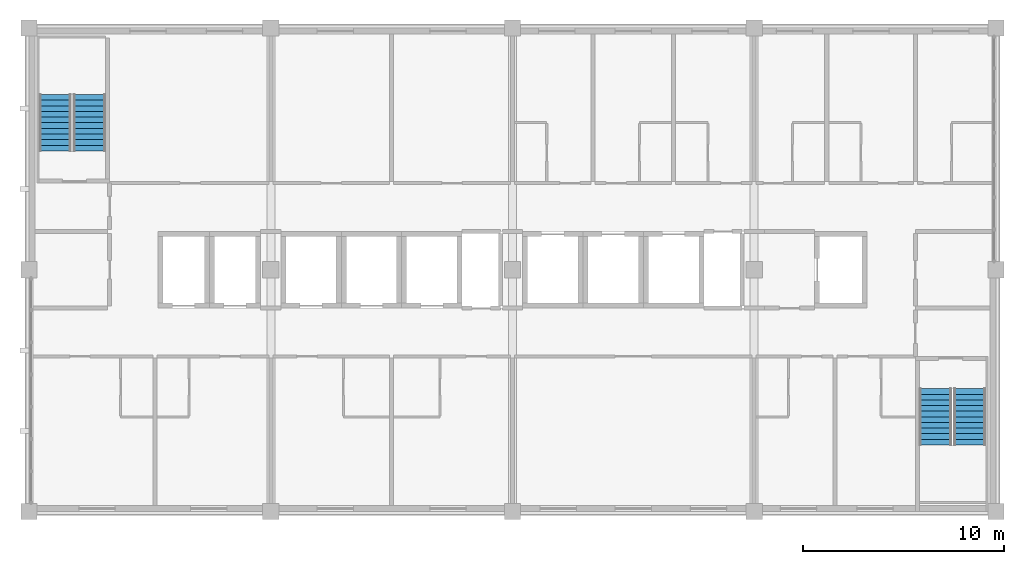
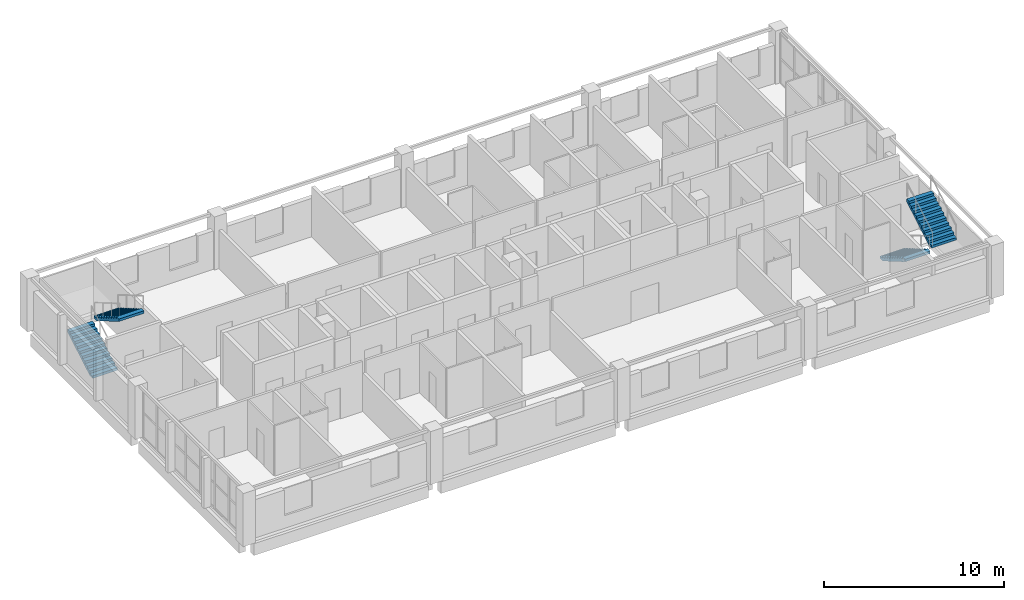
# One storey, part 10 of 11: 4 stair flights, 2 elements without a shape of their own.
"""IFC4 building model written with IfcOpenShell, lengths in metres."""

from ifc_helpers import new_model, si_unit, direction, frame, origin, place, context, subcontext, project, spatial, polyline, outline, extrude, material, type_object, element, aggregate, save


model = new_model("IFC4")

# Units and contexts
model_context = context("Model", 3, precision=1e-05, world=origin(), true_north=direction((0.0, 1.0)))
body_context = subcontext(model_context, "Body", "Model", "MODEL_VIEW")
ifc_project = project(units=[si_unit("LENGTHUNIT", "METRE"), si_unit("AREAUNIT", "SQUARE_METRE"), si_unit("VOLUMEUNIT", "CUBIC_METRE"), si_unit("PLANEANGLEUNIT", "RADIAN"), si_unit("MASSUNIT", "GRAM", prefix="KILO")], contexts=[model_context])

# Site, building, storey
site_placement = place(None, origin())
site = spatial("IfcSite", under=ifc_project, at=site_placement, CompositionType="ELEMENT")
building_placement = place(site_placement, origin())
building = spatial("IfcBuilding", under=site, at=building_placement, Name="Lilac Gate Convention Centre", CompositionType="ELEMENT")
storey_placement = place(building_placement, frame((0.0, 0.0, 39.0)))
storey = spatial("IfcBuildingStorey", under=building, at=storey_placement, Name="L09", CompositionType="ELEMENT", Elevation=39.0)

# Stair, stair flights
ifc_material = material(Name="Concrete C40", Category="concrete")
stair_type = type_object("IfcStairType", Name="Exit stair", PredefinedType="DOUBLE_RETURN_STAIR", material=ifc_material)
stair_1_placement = place(storey_placement, origin())
stair_1 = element("IfcStair", 1, at=stair_1_placement, inside=storey, type_object=stair_type, Name="Exit stair NW L09", PredefinedType="DOUBLE_RETURN_STAIR")
stair_flight_type = type_object("IfcStairFlightType", Name="Exit stair flight", PredefinedType="STRAIGHT", material=ifc_material)
stair_flight_1_placement = place(storey_placement, frame((43.300048828125, 239.89990234375, 0.0), z_axis=(0.0, 0.0, 1.0), x_axis=(0.0, 1.0, 0.0)))
stair_flight_1 = element("IfcStairFlight", 2, at=stair_flight_1_placement, type_object=stair_flight_type, Name="ST-NW flight 1", NumberOfRisers=11, NumberOfTreads=10, PredefinedType="STRAIGHT", RiserHeight=0.163636364, TreadLength=0.28, context=body_context, shape_type="SweptSolid", body=[
    extrude(outline(polyline([(0.0, 0.0), (0.0, 0.16357421875), (0.280029296875, 0.16357421875), (0.280029296875, 0.327392578125), (0.56005859375, 0.327392578125), (0.56005859375, 0.490966796875), (0.840087890625, 0.490966796875), (0.840087890625, 0.654541015625), (1.1201171875, 0.654541015625), (1.1201171875, 0.818115234375), (1.39990234375, 0.818115234375), (1.39990234375, 0.98193359375), (1.679931640625, 0.98193359375), (1.679931640625, 1.1455078125), (1.9599609375, 1.1455078125), (1.9599609375, 1.30908203125), (2.239990234375, 1.30908203125), (2.239990234375, 1.47265625), (2.52001953125, 1.47265625), (2.52001953125, 1.636474609375), (2.800048828125, 1.636474609375), (2.800048828125, 1.800048828125), (2.800048828125, 1.462646484375), (0.297119140625, 0.0), (0.0, 0.0)])), frame((0.0, 0.800048828125, 0.0), z_axis=(0.0, -1.0, 0.0), x_axis=(1.0, 0.0, 0.0)), (0.0, 0.0, 1.0), 1.60009765625),
])
stair_flight_2_placement = place(storey_placement, frame((45.0, 242.699951171875, 1.800048828125), z_axis=(0.0, 0.0, 1.0), x_axis=(0.0, -1.0, 0.0)))
stair_flight_2 = element("IfcStairFlight", 3, at=stair_flight_2_placement, type_object=stair_flight_type, Name="ST-NW flight 2", NumberOfRisers=11, NumberOfTreads=10, PredefinedType="STRAIGHT", RiserHeight=0.163636364, TreadLength=0.28, context=body_context, shape_type="SweptSolid", body=[
    extrude(outline(polyline([(0.0, 0.0), (0.0, 0.16357421875), (0.280029296875, 0.16357421875), (0.280029296875, 0.327392578125), (0.56005859375, 0.327392578125), (0.56005859375, 0.490966796875), (0.840087890625, 0.490966796875), (0.840087890625, 0.654541015625), (1.1201171875, 0.654541015625), (1.1201171875, 0.818115234375), (1.39990234375, 0.818115234375), (1.39990234375, 0.98193359375), (1.679931640625, 0.98193359375), (1.679931640625, 1.1455078125), (1.9599609375, 1.1455078125), (1.9599609375, 1.30908203125), (2.239990234375, 1.30908203125), (2.239990234375, 1.47265625), (2.52001953125, 1.47265625), (2.52001953125, 1.636474609375), (2.800048828125, 1.636474609375), (2.800048828125, 1.800048828125), (2.800048828125, 1.462646484375), (0.297119140625, 0.0), (0.0, 0.0)])), frame((0.0, 0.800048828125, 0.0), z_axis=(0.0, -1.0, 0.0), x_axis=(1.0, 0.0, 0.0)), (0.0, 0.0, 1.0), 1.60009765625),
])
aggregate(stair_1, [stair_flight_1, stair_flight_2])

stair_2_placement = place(storey_placement, origin())
stair_2 = element("IfcStair", 4, at=stair_2_placement, inside=storey, type_object=stair_type, Name="Exit stair SE L09", PredefinedType="DOUBLE_RETURN_STAIR")
stair_flight_3_placement = place(storey_placement, frame((87.0, 228.10009765625, 0.0), z_axis=(0.0, 0.0, 1.0), x_axis=(0.0, -1.0, 0.0)))
stair_flight_3 = element("IfcStairFlight", 5, at=stair_flight_3_placement, type_object=stair_flight_type, Name="ST-SE flight 1", NumberOfRisers=11, NumberOfTreads=10, PredefinedType="STRAIGHT", RiserHeight=0.163636364, TreadLength=0.28, context=body_context, shape_type="SweptSolid", body=[
    extrude(outline(polyline([(0.0, 0.0), (0.0, 0.16357421875), (0.280029296875, 0.16357421875), (0.280029296875, 0.327392578125), (0.56005859375, 0.327392578125), (0.56005859375, 0.490966796875), (0.840087890625, 0.490966796875), (0.840087890625, 0.654541015625), (1.1201171875, 0.654541015625), (1.1201171875, 0.818115234375), (1.39990234375, 0.818115234375), (1.39990234375, 0.98193359375), (1.679931640625, 0.98193359375), (1.679931640625, 1.1455078125), (1.9599609375, 1.1455078125), (1.9599609375, 1.30908203125), (2.239990234375, 1.30908203125), (2.239990234375, 1.47265625), (2.52001953125, 1.47265625), (2.52001953125, 1.636474609375), (2.800048828125, 1.636474609375), (2.800048828125, 1.800048828125), (2.800048828125, 1.462646484375), (0.297119140625, 0.0), (0.0, 0.0)])), frame((0.0, 0.800048828125, 0.0), z_axis=(0.0, -1.0, 0.0), x_axis=(1.0, 0.0, 0.0)), (0.0, 0.0, 1.0), 1.60009765625),
])
stair_flight_4_placement = place(storey_placement, frame((88.699951171875, 225.300048828125, 1.800048828125), z_axis=(0.0, 0.0, 1.0), x_axis=(0.0, 1.0, 0.0)))
stair_flight_4 = element("IfcStairFlight", 6, at=stair_flight_4_placement, type_object=stair_flight_type, Name="ST-SE flight 2", NumberOfRisers=11, NumberOfTreads=10, PredefinedType="STRAIGHT", RiserHeight=0.163636364, TreadLength=0.28, context=body_context, shape_type="SweptSolid", body=[
    extrude(outline(polyline([(0.0, 0.0), (0.0, 0.16357421875), (0.280029296875, 0.16357421875), (0.280029296875, 0.327392578125), (0.56005859375, 0.327392578125), (0.56005859375, 0.490966796875), (0.840087890625, 0.490966796875), (0.840087890625, 0.654541015625), (1.1201171875, 0.654541015625), (1.1201171875, 0.818115234375), (1.39990234375, 0.818115234375), (1.39990234375, 0.98193359375), (1.679931640625, 0.98193359375), (1.679931640625, 1.1455078125), (1.9599609375, 1.1455078125), (1.9599609375, 1.30908203125), (2.239990234375, 1.30908203125), (2.239990234375, 1.47265625), (2.52001953125, 1.47265625), (2.52001953125, 1.636474609375), (2.800048828125, 1.636474609375), (2.800048828125, 1.800048828125), (2.800048828125, 1.462646484375), (0.297119140625, 0.0), (0.0, 0.0)])), frame((0.0, 0.800048828125, 0.0), z_axis=(0.0, -1.0, 0.0), x_axis=(1.0, 0.0, 0.0)), (0.0, 0.0, 1.0), 1.60009765625),
])
aggregate(stair_2, [stair_flight_3, stair_flight_4])

save(model, "model.ifc")
